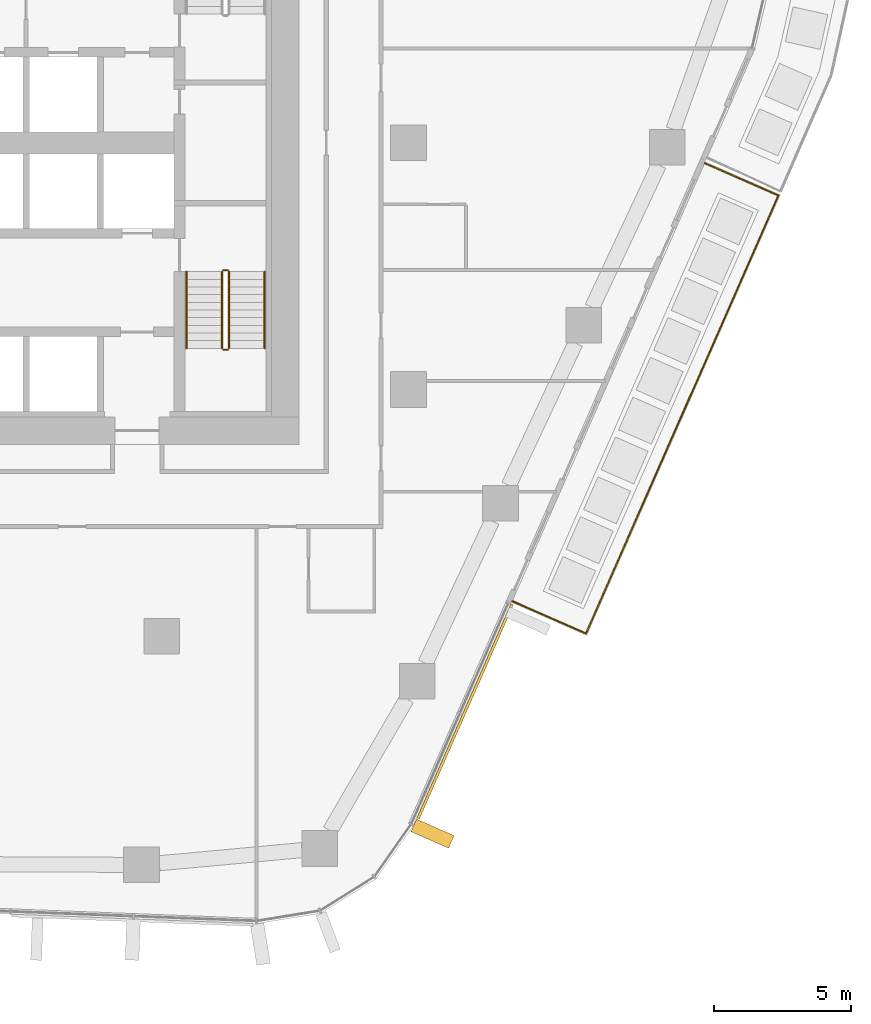
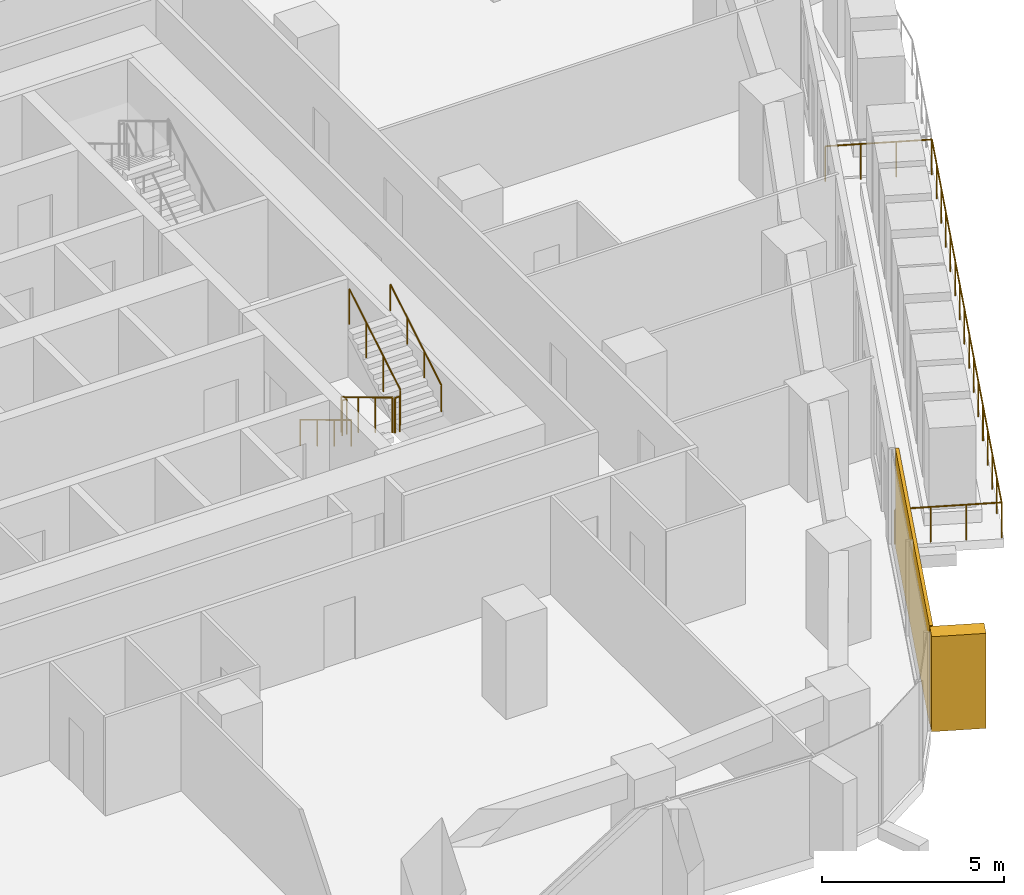
# One storey, part 20 of 23: 7 railings, 2 coverings, 1 element without a shape of its own.
"""IFC4 building model written with IfcOpenShell, lengths in metres."""

from ifc_helpers import new_model, si_unit, direction, frame, origin, origin_2d, place, context, subcontext, project, spatial, rectangle, circle, extrude, material, layer, layer_set, material_profile, profile_set, type_object, element, aggregate, save


model = new_model("IFC4")

# Units and contexts
model_context = context("Model", 3, precision=1e-05, world=origin(), true_north=direction((0.0, 1.0)))
body_context = subcontext(model_context, "Body", "Model", "MODEL_VIEW")
ifc_project = project(units=[si_unit("LENGTHUNIT", "METRE"), si_unit("AREAUNIT", "SQUARE_METRE"), si_unit("VOLUMEUNIT", "CUBIC_METRE"), si_unit("PLANEANGLEUNIT", "RADIAN"), si_unit("MASSUNIT", "GRAM", prefix="KILO")], contexts=[model_context])

# Site, building, storey
site_placement = place(None, origin())
site = spatial("IfcSite", under=ifc_project, at=site_placement, CompositionType="ELEMENT")
building_placement = place(site_placement, origin())
building = spatial("IfcBuilding", under=site, at=building_placement, Name="Dongbaek Canopy Tower", CompositionType="ELEMENT")
storey_placement = place(building_placement, frame((0.0, 0.0, 132.199951171875)))
storey = spatial("IfcBuildingStorey", under=building, at=storey_placement, Name="L29", CompositionType="ELEMENT", Elevation=132.199951171875)

# Railing
ifc_material_1 = material(Name="Stainless steel", Category="steel")
railing_type_1 = type_object("IfcRailingType", Name="Balcony balustrade 1200", PredefinedType="BALUSTRADE", material=ifc_material_1)
railing_1_placement = place(storey_placement, frame((21.7861328125, -16.722900390625, 0.0)))
element("IfcRailing", 1, at=railing_1_placement, inside=storey, type_object=railing_type_1, Name="Balcony guard L29 4", PredefinedType="BALUSTRADE", context=body_context, shape_type="SweptSolid", body=[
    extrude(circle(Radius=0.02392578125, at=origin_2d()), frame((0.0, 0.0, 1.17578125), z_axis=(0.915573195836, -0.402151368351, 0.0), x_axis=(0.402151368351, 0.915573195836, 0.0)), (0.0, 0.0, 1.0), 2.940185546875),
    extrude(circle(Radius=0.02392578125, at=origin_2d()), frame((2.69189453125, -1.182373046875, 1.17578125), z_axis=(0.40217565737, 0.915562526876, 0.0), x_axis=(-0.915562526876, 0.40217565737, 0.0)), (0.0, 0.0, 1.0), 17.45703125),
    extrude(circle(Radius=0.02392578125, at=origin_2d()), frame((9.712646484375, 14.800537109375, 1.17578125), z_axis=(-0.915573195836, 0.402151368351, 0.0), x_axis=(-0.402151368351, -0.915573195836, 0.0)), (0.0, 0.0, 1.0), 2.940185546875),
    extrude(circle(Radius=0.02099609375, at=origin_2d()), origin(), (0.0, 0.0, 1.0), 1.15185546875),
    extrude(circle(Radius=0.02099609375, at=origin_2d()), frame((0.897216796875, -0.39404296875, 0.0)), (0.0, 0.0, 1.0), 1.15185546875),
    extrude(circle(Radius=0.02099609375, at=origin_2d()), frame((1.794677734375, -0.788330078125, 0.0)), (0.0, 0.0, 1.0), 1.15185546875),
    extrude(circle(Radius=0.02099609375, at=origin_2d()), frame((2.69189453125, -1.182373046875, 0.0)), (0.0, 0.0, 1.0), 1.15185546875),
    extrude(circle(Radius=0.02099609375, at=origin_2d()), frame((3.159912109375, -0.116943359375, 0.0)), (0.0, 0.0, 1.0), 1.15185546875),
    extrude(circle(Radius=0.02099609375, at=origin_2d()), frame((3.6279296875, 0.94873046875, 0.0)), (0.0, 0.0, 1.0), 1.15185546875),
    extrude(circle(Radius=0.02099609375, at=origin_2d()), frame((4.095947265625, 2.01416015625, 0.0)), (0.0, 0.0, 1.0), 1.15185546875),
    extrude(circle(Radius=0.02099609375, at=origin_2d()), frame((4.564208984375, 3.079833984375, 0.0)), (0.0, 0.0, 1.0), 1.15185546875),
    extrude(circle(Radius=0.02099609375, at=origin_2d()), frame((5.0322265625, 4.145263671875, 0.0)), (0.0, 0.0, 1.0), 1.15185546875),
    extrude(circle(Radius=0.02099609375, at=origin_2d()), frame((5.500244140625, 5.210693359375, 0.0)), (0.0, 0.0, 1.0), 1.15185546875),
    extrude(circle(Radius=0.02099609375, at=origin_2d()), frame((5.96826171875, 6.2763671875, 0.0)), (0.0, 0.0, 1.0), 1.15185546875),
    extrude(circle(Radius=0.02099609375, at=origin_2d()), frame((6.436279296875, 7.341796875, 0.0)), (0.0, 0.0, 1.0), 1.15185546875),
    extrude(circle(Radius=0.02099609375, at=origin_2d()), frame((6.904296875, 8.407470703125, 0.0)), (0.0, 0.0, 1.0), 1.15185546875),
    extrude(circle(Radius=0.02099609375, at=origin_2d()), frame((7.372314453125, 9.472900390625, 0.0)), (0.0, 0.0, 1.0), 1.15185546875),
    extrude(circle(Radius=0.02099609375, at=origin_2d()), frame((7.84033203125, 10.538330078125, 0.0)), (0.0, 0.0, 1.0), 1.15185546875),
    extrude(circle(Radius=0.02099609375, at=origin_2d()), frame((8.30859375, 11.60400390625, 0.0)), (0.0, 0.0, 1.0), 1.15185546875),
    extrude(circle(Radius=0.02099609375, at=origin_2d()), frame((8.776611328125, 12.66943359375, 0.0)), (0.0, 0.0, 1.0), 1.15185546875),
    extrude(circle(Radius=0.02099609375, at=origin_2d()), frame((9.24462890625, 13.735107421875, 0.0)), (0.0, 0.0, 1.0), 1.15185546875),
    extrude(circle(Radius=0.02099609375, at=origin_2d()), frame((9.712646484375, 14.800537109375, 0.0)), (0.0, 0.0, 1.0), 1.15185546875),
    extrude(circle(Radius=0.02099609375, at=origin_2d()), frame((8.8154296875, 15.194580078125, 0.0)), (0.0, 0.0, 1.0), 1.15185546875),
    extrude(circle(Radius=0.02099609375, at=origin_2d()), frame((7.91796875, 15.5888671875, 0.0)), (0.0, 0.0, 1.0), 1.15185546875),
    extrude(circle(Radius=0.02099609375, at=origin_2d()), frame((7.020751953125, 15.98291015625, 0.0)), (0.0, 0.0, 1.0), 1.15185546875),
])

# Curtain wall, coverings
ifc_material_2 = material(Name="Aluminium 6063-T6 pale anodised", Category="aluminium")
ifc_layer_1 = layer(ifc_material_2, 0.199951171875)
ifc_layer_set_1 = layer_set([ifc_layer_1], Name="CW-1 unitised tower curtain wall")
curtain_wall_type = type_object("IfcCurtainWallType", Name="CW-1 unitised tower curtain wall", PredefinedType="NOTDEFINED", material=ifc_layer_set_1)
curtain_wall_placement = place(storey_placement, origin())
curtain_wall = element("IfcCurtainWall", 2, at=curtain_wall_placement, inside=storey, type_object=curtain_wall_type, Name="CW-1 curtain wall F5.1", PredefinedType="NOTDEFINED")
ifc_material_3 = material(Name="Perforated aluminium 6063-T6 pale metal screen", Category="aluminium")
ifc_layer_2 = layer(ifc_material_3, 0.10009765625)
ifc_layer_set_2 = layer_set([ifc_layer_2], Name="Facet screen FS1 100 pale metal")
covering_type_1 = type_object("IfcCoveringType", Name="Facet screen FS1 100 pale metal", PredefinedType="CLADDING", material=ifc_layer_set_2)
covering_1_placement = place(storey_placement, frame((20.067138671875, -20.750732421875, 0.0), z_axis=(0.0, 0.0, 1.0), x_axis=(0.402176297112, 0.915562245858, 0.0)))
covering_1 = element("IfcCovering", 3, at=covering_1_placement, type_object=covering_type_1, Name="Facet screen L29 F5", PredefinedType="CLADDING", context=body_context, shape_type="SweptSolid", body=[
    extrude(rectangle(XDim=8.538330078125, YDim=0.10009765625, at=origin_2d()), origin(), (0.0, 0.0, 1.0), 3.300048828125),
])
ifc_material_4 = material(Name="Aluminium 6063-T6 pale metal fin", Category="aluminium")
ifc_material_profile = material_profile(ifc_material_4, rectangle(XDim=1.5, YDim=0.5, at=origin_2d()), Name="Fin FN1 500 x 1500 pale metal")
ifc_profile_set = profile_set([ifc_material_profile], Name="Aluminium 6063-T6 pale metal fin")
covering_type_2 = type_object("IfcCoveringType", Name="Fin FN1 500 x 1500 pale metal", PredefinedType="CLADDING", material=ifc_profile_set)
covering_2_placement = place(storey_placement, frame((18.8779296875, -25.208251953125, 0.1201171875), z_axis=(0.0, 0.0, 1.0), x_axis=(0.915562348389, -0.402176063698, 0.0)))
covering_2 = element("IfcCovering", 4, at=covering_2_placement, type_object=covering_type_2, Name="Fin F5.1.1", PredefinedType="CLADDING", context=body_context, shape_type="SweptSolid", body=[
    extrude(rectangle(XDim=1.5, YDim=0.5, at=origin_2d()), origin(), (0.0, 0.0, 1.0), 3.179931640625),
])
aggregate(curtain_wall, [covering_2, covering_1])

# Railings
ifc_material_5 = material(Name="Stainless steel tube and balusters", Category="steel")
railing_type_2 = type_object("IfcRailingType", Name="Stair guard 1200", PredefinedType="GUARDRAIL", material=ifc_material_5)
railing_2_placement = place(storey_placement, frame((11.199951171875, -4.699951171875, 0.168212890625)))
element("IfcRailing", 5, at=railing_2_placement, inside=storey, type_object=railing_type_2, Name="L29 ST-B stair guard 1", PredefinedType="GUARDRAIL", context=body_context, shape_type="SweptSolid", body=[
    extrude(circle(Radius=0.02392578125, at=origin_2d()), frame((0.0, 0.0, 1.17578125), z_axis=(0.0, -0.857242210791, 0.514913383045), x_axis=(1.0, 0.0, 0.0)), (0.0, 0.0, 1.0), 3.266357421875),
    extrude(circle(Radius=0.02099609375, at=origin_2d()), origin(), (0.0, 0.0, 1.0), 1.15185546875),
    extrude(circle(Radius=0.02099609375, at=origin_2d()), frame((0.0, -0.933349609375, 0.560546875)), (0.0, 0.0, 1.0), 1.15185546875),
    extrude(circle(Radius=0.02099609375, at=origin_2d()), frame((0.0, -1.86669921875, 1.121337890625)), (0.0, 0.0, 1.0), 1.15185546875),
    extrude(circle(Radius=0.02099609375, at=origin_2d()), frame((0.0, -2.800048828125, 1.681884765625)), (0.0, 0.0, 1.0), 1.15185546875),
])
railing_3_placement = place(storey_placement, frame((11.25, -7.550048828125, 1.85009765625)))
element("IfcRailing", 6, at=railing_3_placement, inside=storey, type_object=railing_type_2, Name="L29 ST-B stair guard 2", PredefinedType="GUARDRAIL", context=body_context, shape_type="SweptSolid", body=[
    extrude(circle(Radius=0.02392578125, at=origin_2d()), frame((0.0, 0.0, 1.17578125), z_axis=(1.0, 0.0, 0.0), x_axis=(0.0, 1.0, 0.0)), (0.0, 0.0, 1.0), 0.14990234375),
    extrude(circle(Radius=0.02099609375, at=origin_2d()), origin(), (0.0, 0.0, 1.0), 1.15185546875),
    extrude(circle(Radius=0.02099609375, at=origin_2d()), frame((0.14990234375, 0.0, 0.0)), (0.0, 0.0, 1.0), 1.15185546875),
])
railing_4_placement = place(storey_placement, frame((11.449951171875, -7.5, 2.018310546875)))
element("IfcRailing", 7, at=railing_4_placement, inside=storey, type_object=railing_type_2, Name="L29 ST-B stair guard 3", PredefinedType="GUARDRAIL", context=body_context, shape_type="SweptSolid", body=[
    extrude(circle(Radius=0.02392578125, at=origin_2d()), frame((0.0, 0.0, 1.17578125), z_axis=(0.0, 0.857275202839, 0.514858452973), x_axis=(-1.0, 0.0, 0.0)), (0.0, 0.0, 1.0), 3.26611328125),
    extrude(circle(Radius=0.02099609375, at=origin_2d()), origin(), (0.0, 0.0, 1.0), 1.15185546875),
    extrude(circle(Radius=0.02099609375, at=origin_2d()), frame((0.0, 0.933349609375, 0.560546875)), (0.0, 0.0, 1.0), 1.15185546875),
    extrude(circle(Radius=0.02099609375, at=origin_2d()), frame((0.0, 1.86669921875, 1.12109375)), (0.0, 0.0, 1.0), 1.15185546875),
    extrude(circle(Radius=0.02099609375, at=origin_2d()), frame((0.0, 2.800048828125, 1.681640625)), (0.0, 0.0, 1.0), 1.15185546875),
])
railing_5_placement = place(storey_placement, frame((11.25, -4.64990234375, 0.0)))
element("IfcRailing", 8, at=railing_5_placement, inside=storey, type_object=railing_type_2, Name="L29 ST-B stair guard 4", PredefinedType="GUARDRAIL", context=body_context, shape_type="SweptSolid", body=[
    extrude(circle(Radius=0.02392578125, at=origin_2d()), frame((0.0, 0.0, 1.17578125), z_axis=(1.0, 0.0, 0.0), x_axis=(0.0, 1.0, 0.0)), (0.0, 0.0, 1.0), 0.14990234375),
    extrude(circle(Radius=0.02099609375, at=origin_2d()), origin(), (0.0, 0.0, 1.0), 1.15185546875),
    extrude(circle(Radius=0.02099609375, at=origin_2d()), frame((0.14990234375, 0.0, 0.0)), (0.0, 0.0, 1.0), 1.15185546875),
])
ifc_material_6 = material(Name="Stainless steel tube", Category="steel")
railing_type_3 = type_object("IfcRailingType", Name="Stair handrail 900", PredefinedType="HANDRAIL", material=ifc_material_6)
railing_6_placement = place(storey_placement, frame((9.89990234375, -4.699951171875, 0.168212890625)))
element("IfcRailing", 9, at=railing_6_placement, inside=storey, type_object=railing_type_3, Name="L29 ST-B stair handrail 1", PredefinedType="HANDRAIL", context=body_context, shape_type="SweptSolid", body=[
    extrude(circle(Radius=0.02392578125, at=origin_2d()), frame((0.0, 0.0, 0.8759765625), z_axis=(0.0, -0.857242210791, 0.514913383045), x_axis=(1.0, 0.0, 0.0)), (0.0, 0.0, 1.0), 3.266357421875),
    extrude(circle(Radius=0.02099609375, at=origin_2d()), origin(), (0.0, 0.0, 1.0), 0.851806640625),
    extrude(circle(Radius=0.02099609375, at=origin_2d()), frame((0.0, -0.933349609375, 0.560546875)), (0.0, 0.0, 1.0), 0.851806640625),
    extrude(circle(Radius=0.02099609375, at=origin_2d()), frame((0.0, -1.86669921875, 1.121337890625)), (0.0, 0.0, 1.0), 0.851806640625),
    extrude(circle(Radius=0.02099609375, at=origin_2d()), frame((0.0, -2.800048828125, 1.681884765625)), (0.0, 0.0, 1.0), 0.851806640625),
])
railing_7_placement = place(storey_placement, frame((12.75, -7.5, 2.018310546875)))
element("IfcRailing", 10, at=railing_7_placement, inside=storey, type_object=railing_type_3, Name="L29 ST-B stair handrail 2", PredefinedType="HANDRAIL", context=body_context, shape_type="SweptSolid", body=[
    extrude(circle(Radius=0.02392578125, at=origin_2d()), frame((0.0, 0.0, 0.8759765625), z_axis=(0.0, 0.857275202839, 0.514858452973), x_axis=(-1.0, 0.0, 0.0)), (0.0, 0.0, 1.0), 3.26611328125),
    extrude(circle(Radius=0.02099609375, at=origin_2d()), origin(), (0.0, 0.0, 1.0), 0.851806640625),
    extrude(circle(Radius=0.02099609375, at=origin_2d()), frame((0.0, 0.933349609375, 0.560546875)), (0.0, 0.0, 1.0), 0.851806640625),
    extrude(circle(Radius=0.02099609375, at=origin_2d()), frame((0.0, 1.86669921875, 1.12109375)), (0.0, 0.0, 1.0), 0.851806640625),
    extrude(circle(Radius=0.02099609375, at=origin_2d()), frame((0.0, 2.800048828125, 1.681640625)), (0.0, 0.0, 1.0), 0.851806640625),
])

save(model, "model.ifc")
